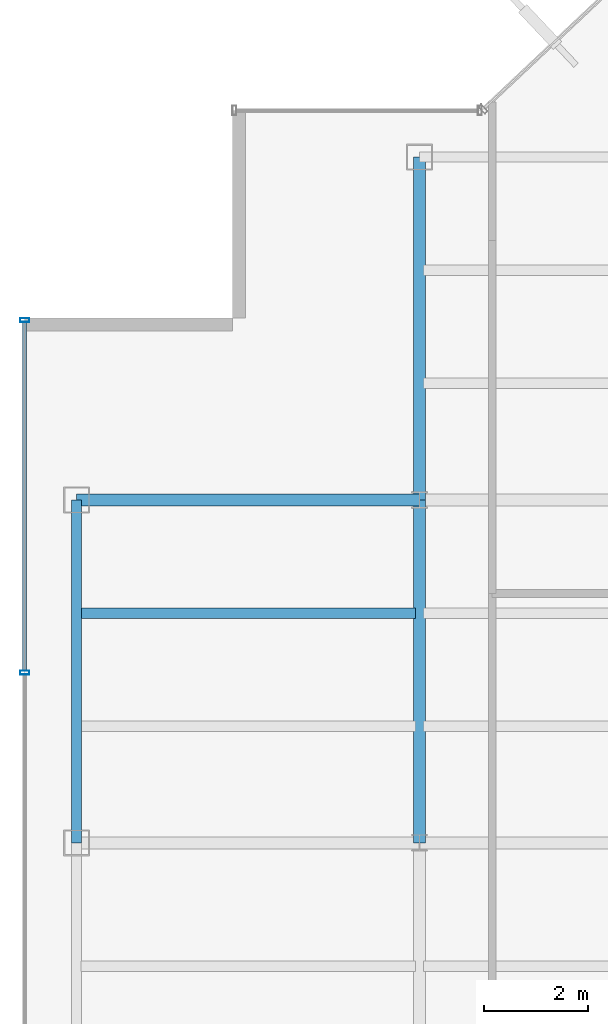
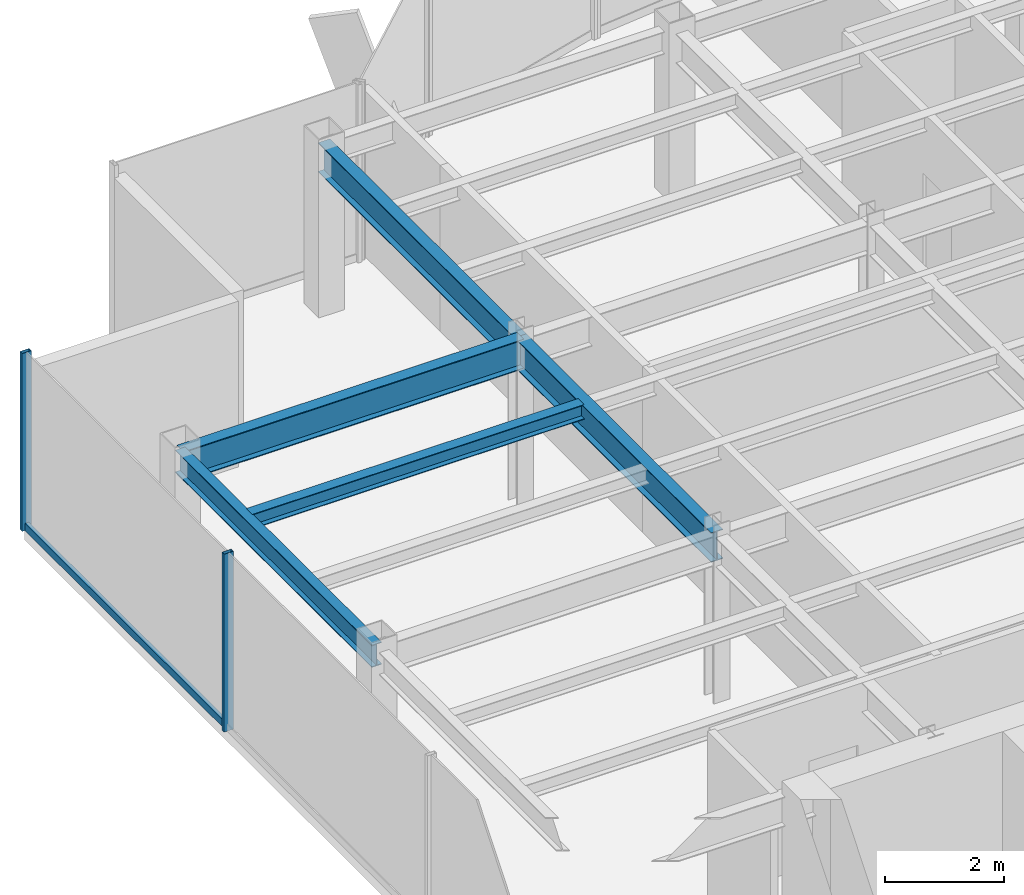
# One storey, part 7 of 22: 5 beams, 3 members, 1 element without a shape of its own.
"""IFC4 building model written with IfcOpenShell, lengths in metres."""

from ifc_helpers import new_model, si_unit, derived_unit, direction, frame, origin, origin_2d, place, context, subcontext, project, spatial, hollow_rectangle, i_section, extrude, source, transform, mapped, material, material_profile, profile_set, type_object, element, aggregate, save


model = new_model("IFC4")

# Units and contexts
model_context = context("Model", 3, precision=1e-05, world=origin(), true_north=direction((0.0, 1.0)))
body_context = subcontext(model_context, "Body", "Model", "MODEL_VIEW")
ifc_project = project(units=[si_unit("LENGTHUNIT", "METRE"), si_unit("AREAUNIT", "SQUARE_METRE"), si_unit("VOLUMEUNIT", "CUBIC_METRE"), si_unit("PLANEANGLEUNIT", "RADIAN"), si_unit("MASSUNIT", "GRAM", prefix="KILO"), derived_unit("THERMALTRANSMITTANCEUNIT", [(si_unit("POWERUNIT", "WATT"), 1), (si_unit("LENGTHUNIT", "METRE"), -2), (si_unit("THERMODYNAMICTEMPERATUREUNIT", "KELVIN"), -1)])], contexts=[model_context])

# Site, building, storey
site_placement = place(None, origin())
site = spatial("IfcSite", under=ifc_project, at=site_placement, CompositionType="ELEMENT")
building_placement = place(site_placement, origin())
building = spatial("IfcBuilding", under=site, at=building_placement, Name="Skarnbrae Concourse Arena and Tower", CompositionType="ELEMENT")
storey_placement = place(building_placement, frame((0.0, 0.0, 258.800048828125)))
storey = spatial("IfcBuildingStorey", under=building, at=storey_placement, Name="L67", CompositionType="ELEMENT", Elevation=258.800048828125)

# Beams
ifc_material_1 = material(Name="Steel CSA G40.21 350W", Category="steel")
ifc_material_profile_1 = material_profile(ifc_material_1, i_section(OverallWidth=0.22802734375, OverallDepth=0.60791015625, WebThickness=0.01123046875, FlangeThickness=0.017333984375, at=origin_2d()), Name="W610X113")
ifc_profile_set_1 = profile_set([ifc_material_profile_1], Name="Steel CSA G40.21 350W")
beam_type_1 = type_object("IfcBeamType", Name="BM-GIRD-W610X113", PredefinedType="BEAM", material=ifc_profile_set_1)
shared_shape_1 = source(origin(), body_context, "Body", "SweptSolid", [
    extrude(i_section(OverallWidth=0.22802734375, OverallDepth=0.60791015625, WebThickness=0.01123046875, FlangeThickness=0.017333984375, at=origin_2d()), origin(), (0.0, 0.0, 1.0), 6.60009765625),
])
for number, where, z_axis, x_axis, name in (
    (1, (1.0, 27.800048828125, 3.095947265625), (1.0, 0.0, 0.0), (0.0, 1.0, 0.0), "L67 Primary E-W girder Y27.8-1"),
    (2, (7.60009765625, 21.199951171875, 3.095947265625), (0.0, 1.0, 0.0), (-1.0, 0.0, 0.0), "L67 Primary N-S girder X7.6-2"),
):
    element("IfcBeam", number, at=place(storey_placement, frame(where, z_axis=z_axis, x_axis=x_axis)), inside=storey, type_object=beam_type_1, Name=name, PredefinedType="BEAM", context=body_context, shape_type="MappedRepresentation", body=[
        mapped(shared_shape_1, transform((0.0, 0.0, 0.0))),
    ])
ifc_material_profile_2 = material_profile(ifc_material_1, i_section(OverallWidth=0.19091796875, OverallDepth=0.4599609375, WebThickness=0.010009765625, FlangeThickness=0.01611328125, at=origin_2d()), Name="W460X82")
ifc_profile_set_2 = profile_set([ifc_material_profile_2], Name="Steel CSA G40.21 350W")
beam_type_2 = type_object("IfcBeamType", Name="BM-SPAN-W460X82", PredefinedType="SPANDREL", material=ifc_profile_set_2)
shared_shape_2 = source(origin(), body_context, "Body", "SweptSolid", [
    extrude(i_section(OverallWidth=0.19091796875, OverallDepth=0.4599609375, WebThickness=0.010009765625, FlangeThickness=0.01611328125, at=origin_2d()), origin(), (0.0, 0.0, 1.0), 6.60009765625),
])
beam_1_placement = place(storey_placement, frame((1.0, 21.199951171875, 3.169921875), z_axis=(0.0, 1.0, 0.0), x_axis=(-1.0, 0.0, 0.0)))
element("IfcBeam", 3, at=beam_1_placement, inside=storey, type_object=beam_type_2, Name="L67 Perimeter spandrel X1.0-3", PredefinedType="SPANDREL", context=body_context, shape_type="MappedRepresentation", body=[
    mapped(shared_shape_2, transform((0.0, 0.0, 0.0))),
])
shared_shape_3 = source(origin(), body_context, "Body", "SweptSolid", [
    extrude(i_section(OverallWidth=0.22802734375, OverallDepth=0.60791015625, WebThickness=0.01123046875, FlangeThickness=0.017333984375, at=origin_2d()), origin(), (0.0, 0.0, 1.0), 6.599853515625),
])
beam_2_placement = place(storey_placement, frame((7.60009765625, 27.800048828125, 3.095947265625), z_axis=(0.0, 1.0, 0.0), x_axis=(-1.0, 0.0, 0.0)))
element("IfcBeam", 4, at=beam_2_placement, inside=storey, type_object=beam_type_1, Name="L67 Primary N-S girder X7.6-3", PredefinedType="BEAM", context=body_context, shape_type="MappedRepresentation", body=[
    mapped(shared_shape_3, transform((0.0, 0.0, 0.0))),
])
ifc_material_profile_3 = material_profile(ifc_material_1, i_section(OverallWidth=0.202880859375, OverallDepth=0.302978515625, WebThickness=0.007568359375, FlangeThickness=0.01318359375, at=origin_2d()), Name="W310X60")
ifc_profile_set_3 = profile_set([ifc_material_profile_3], Name="Steel CSA G40.21 350W")
beam_type_3 = type_object("IfcBeamType", Name="BM-JOIST-W310X60", PredefinedType="JOIST", material=ifc_profile_set_3)
shared_shape_4 = source(origin(), body_context, "Body", "SweptSolid", [
    extrude(i_section(OverallWidth=0.202880859375, OverallDepth=0.302978515625, WebThickness=0.007568359375, FlangeThickness=0.01318359375, at=origin_2d()), origin(), (0.0, 0.0, 1.0), 6.43994140625),
])
beam_3_placement = place(storey_placement, frame((1.080078125, 25.6220703125, 3.24853515625), z_axis=(1.0, 0.0, 0.0), x_axis=(0.0, 1.0, 0.0)))
element("IfcBeam", 5, at=beam_3_placement, inside=storey, type_object=beam_type_3, Name="L67 Secondary floor joist 2.2.1", PredefinedType="JOIST", context=body_context, shape_type="MappedRepresentation", body=[
    mapped(shared_shape_4, transform((0.0, 0.0, 0.0))),
])

# Curtain wall, members
ifc_material_2 = material(Name="Bronze anodised aluminium 6063-T6", Category="aluminium")
curtain_wall_type = type_object("IfcCurtainWallType", Name="CW-SYS-05-HIGHZONE", PredefinedType="USERDEFINED", material=ifc_material_2)
curtain_wall_placement = place(storey_placement, origin())
curtain_wall = element("IfcCurtainWall", 6, at=curtain_wall_placement, inside=storey, type_object=curtain_wall_type, Name="L67 Unitised curtain wall CW-L67-E18", ObjectType="UNITISED CURTAIN WALL", PredefinedType="USERDEFINED")
ifc_material_profile_4 = material_profile(ifc_material_2, hollow_rectangle(XDim=0.074951171875, YDim=0.179931640625, WallThickness=0.00390625, at=origin_2d()), Name="ALU-MULL-75X180")
ifc_profile_set_4 = profile_set([ifc_material_profile_4], Name="Bronze anodised aluminium 6063-T6")
member_type_1 = type_object("IfcMemberType", Name="CWM-CW-05", PredefinedType="MULLION", material=ifc_profile_set_4)
shared_shape_5 = source(origin(), body_context, "Body", "SweptSolid", [
    extrude(hollow_rectangle(XDim=0.074951171875, YDim=0.179931640625, WallThickness=0.00390625, at=origin_2d()), origin(), (0.0, 0.0, 1.0), 3.64990234375),
])
member_1_placement = place(storey_placement, frame((0.0, 31.262451171875, 0.0), z_axis=(0.0, 0.0, 1.0), x_axis=(0.0, -1.0, 0.0)))
member_1 = element("IfcMember", 7, at=member_1_placement, type_object=member_type_1, Name="CW-L67-E18 Mullion 1", PredefinedType="MULLION", context=body_context, shape_type="MappedRepresentation", body=[
    mapped(shared_shape_5, transform((0.0, 0.0, 0.0))),
])
member_2_placement = place(storey_placement, frame((0.0, 24.47509765625, 0.0), z_axis=(0.0, 0.0, 1.0), x_axis=(0.0, -1.0, 0.0)))
member_2 = element("IfcMember", 8, at=member_2_placement, type_object=member_type_1, Name="CW-L67-E18 Mullion 2", PredefinedType="MULLION", context=body_context, shape_type="MappedRepresentation", body=[
    mapped(shared_shape_5, transform((0.0, 0.0, 0.0))),
])
ifc_material_profile_5 = material_profile(ifc_material_2, hollow_rectangle(XDim=0.074951171875, YDim=0.14990234375, WallThickness=0.00390625, at=origin_2d()), Name="ALU-TRAN-75X150")
ifc_profile_set_5 = profile_set([ifc_material_profile_5], Name="Bronze anodised aluminium 6063-T6")
member_type_2 = type_object("IfcMemberType", Name="CWT-CW-05", PredefinedType="USERDEFINED", material=ifc_profile_set_5)
shared_shape_6 = source(origin(), body_context, "Body", "SweptSolid", [
    extrude(hollow_rectangle(XDim=0.074951171875, YDim=0.14990234375, WallThickness=0.00390625, at=origin_2d()), origin(), (0.0, 0.0, 1.0), 6.712646484375),
])
member_3_placement = place(storey_placement, frame((0.0, 31.22509765625, 0.074951171875), z_axis=(0.0, -1.0, 0.0), x_axis=(1.0, 0.0, 0.0)))
member_3 = element("IfcMember", 9, at=member_3_placement, type_object=member_type_2, Name="CW-L67-E18 Transom 1", ObjectType="TRANSOM", PredefinedType="USERDEFINED", context=body_context, shape_type="MappedRepresentation", body=[
    mapped(shared_shape_6, transform((0.0, 0.0, 0.0))),
])
aggregate(curtain_wall, [member_1, member_2, member_3])

save(model, "model.ifc")
